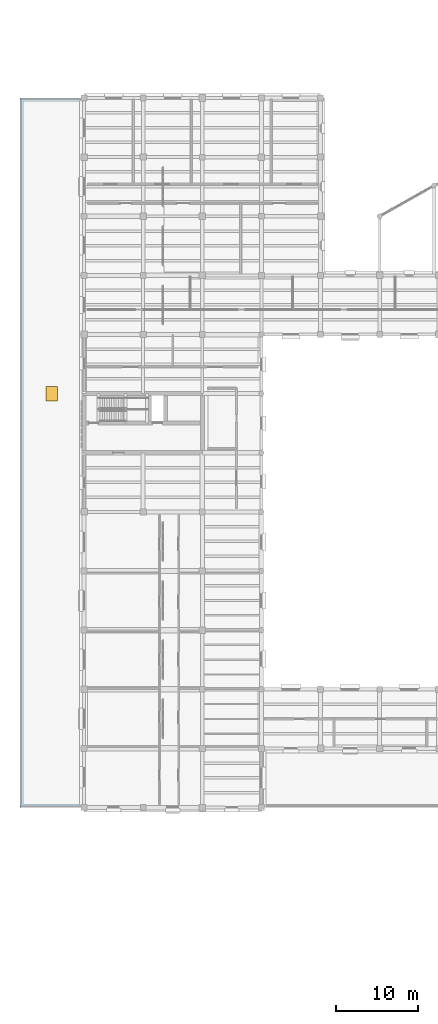
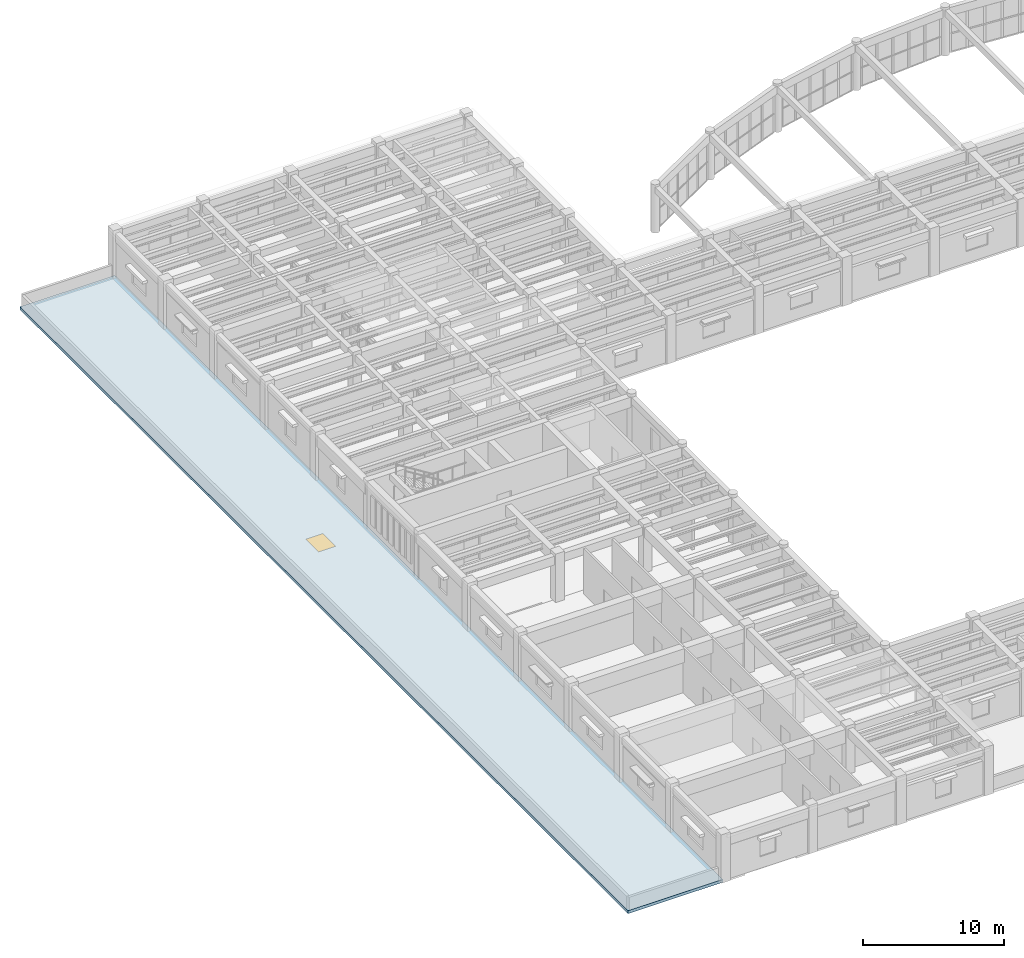
# One storey, part 38 of 76: 1 slab, 1 window, 1 opening.
"""IFC4 building model written with IfcOpenShell, lengths in metres."""

from ifc_helpers import new_model, si_unit, direction, frame, origin, origin_2d, place, context, subcontext, project, spatial, polyline, rectangle, outline, extrude, material, layer, layer_set, type_object, element, fill, save


model = new_model("IFC4")

# Units and contexts
model_context = context("Model", 3, precision=1e-05, world=origin(), true_north=direction((0.0, 1.0)))
body_context = subcontext(model_context, "Body", "Model", "MODEL_VIEW")
ifc_project = project(units=[si_unit("LENGTHUNIT", "METRE"), si_unit("AREAUNIT", "SQUARE_METRE"), si_unit("VOLUMEUNIT", "CUBIC_METRE"), si_unit("PLANEANGLEUNIT", "RADIAN"), si_unit("MASSUNIT", "GRAM", prefix="KILO")], contexts=[model_context])

# Site, building, storey
site_placement = place(None, origin())
site = spatial("IfcSite", under=ifc_project, at=site_placement, CompositionType="ELEMENT")
building_placement = place(site_placement, origin())
building = spatial("IfcBuilding", under=site, at=building_placement, Name="Mithqara Police Headquarters", CompositionType="ELEMENT")
storey_placement = place(building_placement, frame((0.0, 0.0, 5.39990234375)))
storey = spatial("IfcBuildingStorey", under=building, at=storey_placement, Name="L01", CompositionType="ELEMENT", Elevation=5.39990234375)

# Slab, opening, window
ifc_material_1 = material(Name="Concrete C40/50", Category="concrete")
ifc_layer = layer(ifc_material_1, 0.25, Name="Concrete C40/50")
ifc_layer_set = layer_set([ifc_layer], Name="Concrete C40/50")
slab_type = type_object("IfcSlabType", Name="ROOF SLAB 250", PredefinedType="ROOF", material=ifc_layer_set)
slab_placement = place(storey_placement, frame((0.0, 0.0, -0.25)))
slab = element("IfcSlab", 1, at=slab_placement, inside=storey, type_object=slab_type, Name="L01 Flat Insulated Roof over L00 Wing 2", PredefinedType="ROOF", context=body_context, shape_type="SweptSolid", body=[
    extrude(outline(polyline([(0.0, 21.0), (0.0, 57.0), (0.0, 85.800048828125), (0.0, 107.39990234375), (7.780029296875, 107.39990234375), (7.780029296875, 21.0), (0.0, 21.0)]), holes=[polyline([(3.18994140625, 70.5), (4.590087890625, 70.5), (4.590087890625, 72.300048828125), (3.18994140625, 72.300048828125), (3.18994140625, 70.5)])]), origin(), (0.0, 0.0, 1.0), 0.25),
])
opening_placement = place(slab_placement, frame((3.889892578125, 71.39990234375, -0.010009765625)))
opening = element("IfcOpeningElement", 2, at=opening_placement, cuts=slab, Name="Opening SK-02", PredefinedType="OPENING", context=body_context, shape_type="SweptSolid", body=[
    extrude(rectangle(XDim=1.39990234375, YDim=1.800048828125, at=origin_2d()), origin(), (0.0, 0.0, 1.0), 0.27001953125),
])
ifc_material_2 = material(Name="Spectrally selective double low-e glass", Category="glass")
window_type = type_object("IfcWindowType", Name="SKYLIGHT 1400X1800", PartitioningType="SINGLE_PANEL", PredefinedType="SKYLIGHT", material=ifc_material_2)
window_placement = place(opening_placement, frame((0.0, 0.0, 0.2099609375)))
window = element("IfcWindow", 3, at=window_placement, inside=storey, type_object=window_type, Name="L01 Roof Daylight Skylight and Access Hatch 2", OverallHeight=1.800048828125, OverallWidth=1.39990234375, PartitioningType="SINGLE_PANEL", PredefinedType="SKYLIGHT", context=body_context, shape_type="SweptSolid", body=[
    extrude(rectangle(XDim=1.39990234375, YDim=1.800048828125, at=origin_2d()), origin(), (0.0, 0.0, 1.0), 0.050048828125),
])
fill(opening, window)

save(model, "model.ifc")
